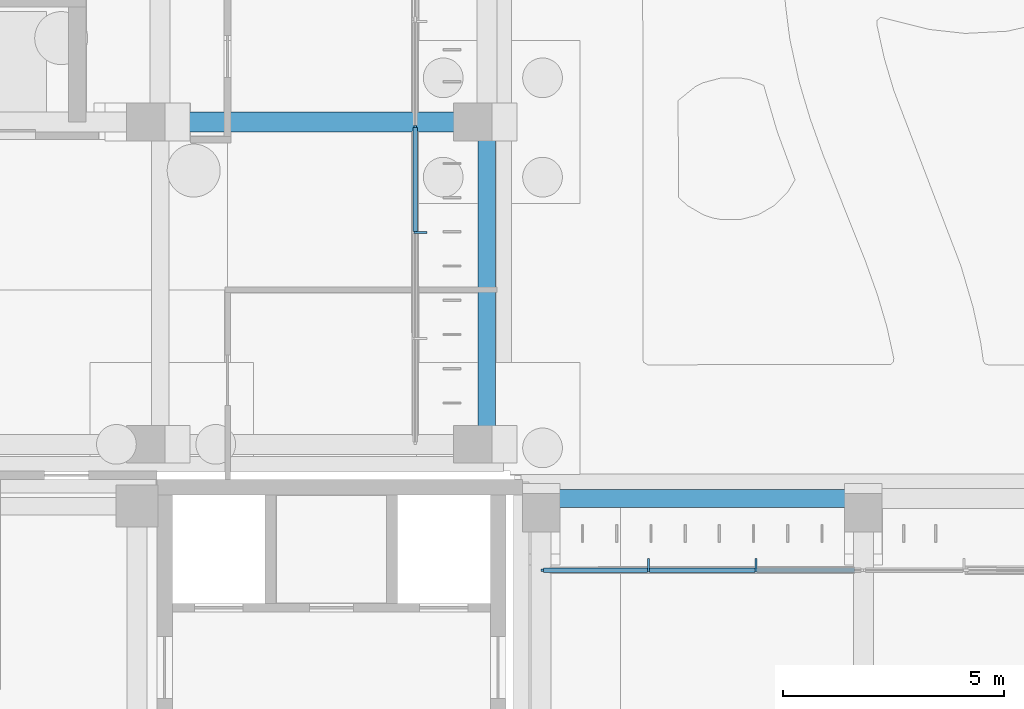
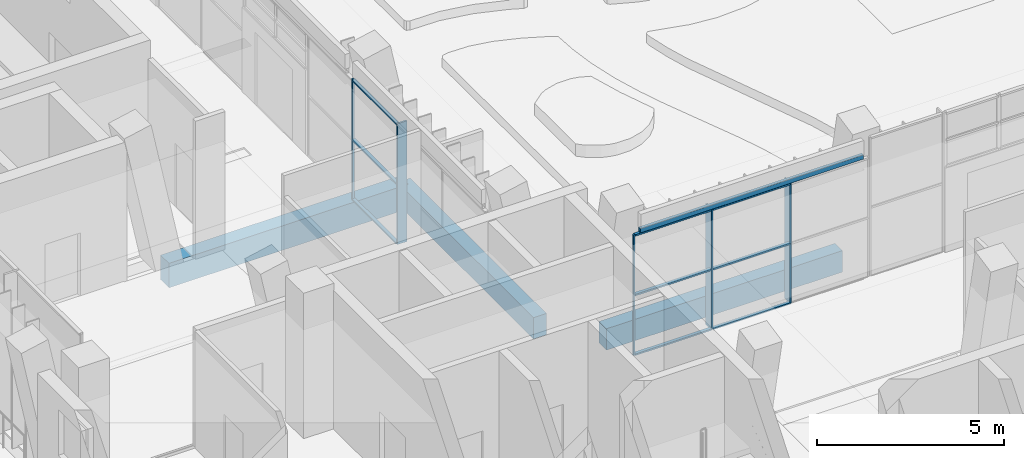
# One storey, part 46 of 144: 14 members, 4 beams, 2 elements without a shape of their own.
"""IFC4 building model written with IfcOpenShell, lengths in metres."""

import ifcopenshell
import ifcopenshell.guid

model = None  # the IFC model being written
_history = None  # IfcOwnerHistory: only IFC2X3 demands one
_inside = {}  # id of a spatial element -> (the spatial element, [elements in it])
_under = {}  # id of a project, library or spatial element -> (it, [spatial elements below it])
_declared = {}  # id of a project -> (the project, [libraries it declares])
_typed = {}  # id of a type object -> (the type object, [elements of that type])
_made_of = {}  # id of a material, layer set ... -> (it, [elements and type objects made of it])


def new_model(schema):
    """Start an empty IFC model of exactly this schema.

    Asked for "IFC4X3", IfcOpenShell would pick the latest addendum, in which some entities
    have other attributes; the version numbers below select the first issue.
    IFC2X3 requires an IfcOwnerHistory on every rooted entity: one is made here for all.
    """
    global model, _history
    if schema == "IFC4X3":
        model = ifcopenshell.file(schema_version=(4, 3, 0, 0))
    else:
        model = ifcopenshell.file(schema=schema)
    _inside.clear()
    _under.clear()
    _declared.clear()
    _typed.clear()
    _made_of.clear()
    _history = None
    if model.schema == "IFC2X3":
        org = make("IfcOrganization", Name="unknown")
        user = make(
            "IfcPersonAndOrganization",
            ThePerson=make("IfcPerson", FamilyName="unknown"),
            TheOrganization=org,
        )
        app = make(
            "IfcApplication",
            ApplicationDeveloper=org,
            Version="unknown",
            ApplicationFullName="unknown",
            ApplicationIdentifier="unknown",
        )
        _history = make(
            "IfcOwnerHistory",
            OwningUser=user,
            OwningApplication=app,
            ChangeAction="ADDED",
            CreationDate=0,
        )
    return model


def make(cls, **values):
    """One entity of the class cls with the attributes given. An attribute that is None is left unset."""
    return model.create_entity(
        cls, **{name: value for name, value in values.items() if value is not None}
    )


def rooted(cls, **values):
    """An entity with a GlobalId (a new one), such as an element, a storey or a relation."""
    return make(cls, GlobalId=ifcopenshell.guid.new(), OwnerHistory=_history, **values)


def si_unit(unit_type, name, prefix=None):
    """IfcSIUnit, for example si_unit("LENGTHUNIT", "METRE", prefix="MILLI")."""
    return make("IfcSIUnit", UnitType=unit_type, Prefix=prefix, Name=name)


def assignment(units):
    """IfcUnitAssignment: the units of a project."""
    return None if units is None else make("IfcUnitAssignment", Units=units)


def point(xyz):
    """IfcCartesianPoint."""
    return None if xyz is None else make("IfcCartesianPoint", Coordinates=xyz)


def direction(xyz):
    """IfcDirection."""
    return None if xyz is None else make("IfcDirection", DirectionRatios=xyz)


def frame(location, z_axis=None, x_axis=None):
    """IfcAxis2Placement3D, a coordinate frame: its origin and axes. An axis left out is left unset."""
    return make(
        "IfcAxis2Placement3D",
        Location=point(location),
        Axis=direction(z_axis),
        RefDirection=direction(x_axis),
    )


def frame_2d(location, x_axis=None):
    """IfcAxis2Placement2D, a coordinate frame in the plane: its origin and x axis."""
    return make(
        "IfcAxis2Placement2D", Location=point(location), RefDirection=direction(x_axis)
    )


def origin():
    """The frame at (0, 0, 0) with its axes left unset."""
    return frame((0.0, 0.0, 0.0))


def origin_2d():
    """The frame at (0, 0) in the plane with its x axis left unset."""
    return frame_2d((0.0, 0.0))


def place(relative_to, where):
    """IfcLocalPlacement: puts the frame where relative to a parent placement (None: the world)."""
    return make(
        "IfcLocalPlacement", PlacementRelTo=relative_to, RelativePlacement=where
    )


def context(
    kind, dimensions, precision=None, world=None, true_north=None, identifier=None
):
    """IfcGeometricRepresentationContext, for example the 3D "Model" context."""
    return make(
        "IfcGeometricRepresentationContext",
        ContextIdentifier=identifier,
        ContextType=kind,
        CoordinateSpaceDimension=dimensions,
        Precision=precision,
        WorldCoordinateSystem=world,
        TrueNorth=true_north,
    )


def subcontext(parent, identifier, kind, view, scale=None):
    """IfcGeometricRepresentationSubContext, for example "Body" below "Model"."""
    return make(
        "IfcGeometricRepresentationSubContext",
        ContextIdentifier=identifier,
        ContextType=kind,
        ParentContext=parent,
        TargetScale=scale,
        TargetView=view,
    )


def project(units=None, contexts=None):
    """IfcProject with its units and contexts."""
    return rooted(
        "IfcProject",
        Name="project",
        RepresentationContexts=contexts,
        UnitsInContext=assignment(units),
    )


def spatial(cls, under=None, at=None, **own):
    """A site, building, storey or space (cls), placed at a placement, below another one or the project."""
    s = rooted(cls, ObjectPlacement=at, **own)
    if under is not None:
        _under.setdefault(under.id(), (under, []))[1].append(s)
    return s


def profile(cls, at=None, kind="AREA", **sizes):
    """A parametric profile (cls). Its sizes go by their IFC names, for example OverallWidth=200.0."""
    return make(cls, ProfileType=kind, Position=at, **sizes)


def rectangle(**sizes):
    """IfcRectangleProfileDef."""
    return profile("IfcRectangleProfileDef", **sizes)


def hollow_rectangle(**sizes):
    """IfcRectangleHollowProfileDef."""
    return profile("IfcRectangleHollowProfileDef", **sizes)


def extrude(swept, where, along, depth):
    """IfcExtrudedAreaSolid: the profile swept, set in the frame where, extruded along a direction by depth."""
    return make(
        "IfcExtrudedAreaSolid",
        SweptArea=swept,
        Position=where,
        ExtrudedDirection=direction(along),
        Depth=depth,
    )


def shape(context_of_items, identifier, shape_type, items):
    """IfcShapeRepresentation: the items that make up one representation, for example the "Body"."""
    return make(
        "IfcShapeRepresentation",
        ContextOfItems=context_of_items,
        RepresentationIdentifier=identifier,
        RepresentationType=shape_type,
        Items=items,
    )


def material(Name=None, Category=None):
    """IfcMaterial."""
    return make("IfcMaterial", Name=Name, Category=Category)


def material_profile(
    of_material, cross_section, Name=None, Category=None, Priority=None
):
    """IfcMaterialProfile: a cross section and its material."""
    return make(
        "IfcMaterialProfile",
        Name=Name,
        Material=of_material,
        Profile=cross_section,
        Priority=Priority,
        Category=Category,
    )


def profile_set(profiles, Name=None, composite=None):
    """IfcMaterialProfileSet."""
    return make(
        "IfcMaterialProfileSet",
        Name=Name,
        MaterialProfiles=profiles,
        CompositeProfile=composite,
    )


def made_of(thing, what):
    """Note that an element or type object is made of a material, layer set ...; save() writes the relation."""
    if what is not None:
        _made_of.setdefault(what.id(), (what, []))[1].append(thing)
    return thing


def type_object(cls, material=None, **own):
    """A type object (cls), such as IfcWallType, which elements share."""
    return made_of(rooted(cls, **own), material)


def element(
    cls,
    number,
    at=None,
    inside=None,
    cuts=None,
    type_object=None,
    material=None,
    context=None,
    identifier="Body",
    shape_type=None,
    held_by="IfcProductDefinitionShape",
    body=None,
    shapes=None,
    **own,
):
    """One element of the class cls, such as IfcWall. Its Tag is "e" and its number.

    at: its placement. inside: the storey or other place that contains it. cuts: it is an
    opening in that element (IfcRelVoidsElement). A single representation is given by context,
    identifier, shape_type and body (its items); several are given by shapes. held_by: the class
    of the entity that holds the representations. save() writes the other relations.
    """
    e = rooted(cls, Tag="e%d" % number, ObjectPlacement=at, **own)
    if body is not None:
        shapes = [shape(context, identifier, shape_type, body)]
    if shapes is not None:
        e.Representation = make(held_by, Representations=shapes)
    if inside is not None:
        _inside.setdefault(inside.id(), (inside, []))[1].append(e)
    if cuts is not None:
        rooted(
            "IfcRelVoidsElement", RelatingBuildingElement=cuts, RelatedOpeningElement=e
        )
    if type_object is not None:
        _typed.setdefault(type_object.id(), (type_object, []))[1].append(e)
    return made_of(e, material)


def aggregate(whole, parts):
    """IfcRelAggregates: a whole, such as a stair, and the parts it consists of."""
    return rooted("IfcRelAggregates", RelatingObject=whole, RelatedObjects=parts)


def save(model, path):
    """Write the relations noted so far, then the file.

    IfcRelAggregates (storeys below a building ...), IfcRelContainedInSpatialStructure (elements
    in a storey), IfcRelDefinesByType, IfcRelAssociatesMaterial and IfcRelDeclares: one each for
    every whole, place, type object, material and project.
    """
    for whole, parts in _under.values():
        aggregate(whole, parts)
    for where, things in _inside.values():
        rooted(
            "IfcRelContainedInSpatialStructure",
            RelatedElements=things,
            RelatingStructure=where,
        )
    for kind, things in _typed.values():
        rooted("IfcRelDefinesByType", RelatedObjects=things, RelatingType=kind)
    for what, things in _made_of.values():
        rooted("IfcRelAssociatesMaterial", RelatedObjects=things, RelatingMaterial=what)
    for by, libraries in _declared.values():
        rooted("IfcRelDeclares", RelatingContext=by, RelatedDefinitions=libraries)
    model.write(path)


model = new_model("IFC4")

# Units and contexts
model_context = context("Model", 3, precision=1e-05, world=origin(), true_north=direction((0.0, 1.0)))
body_context = subcontext(model_context, "Body", "Model", "MODEL_VIEW")
ifc_project = project(units=[si_unit("LENGTHUNIT", "METRE"), si_unit("AREAUNIT", "SQUARE_METRE"), si_unit("VOLUMEUNIT", "CUBIC_METRE"), si_unit("PLANEANGLEUNIT", "RADIAN"), si_unit("MASSUNIT", "GRAM", prefix="KILO")], contexts=[model_context])

# Site, building, storey
site_placement = place(None, origin())
site = spatial("IfcSite", under=ifc_project, at=site_placement, CompositionType="ELEMENT")
building_placement = place(site_placement, origin())
building = spatial("IfcBuilding", under=site, at=building_placement, Name="Lantern Court Media Centre", CompositionType="ELEMENT")
storey_placement = place(building_placement, origin())
storey = spatial("IfcBuildingStorey", under=building, at=storey_placement, Name="L00", CompositionType="ELEMENT", Elevation=0.0)

# Curtain wall, members
ifc_material_1 = material(Name="Curtain wall bay 2400")
curtain_wall_type = type_object("IfcCurtainWallType", Name="Curtain wall bay 2400", PredefinedType="NOTDEFINED", material=ifc_material_1)
curtain_wall_1_placement = place(storey_placement, origin())
curtain_wall_1 = element("IfcCurtainWall", 1, at=curtain_wall_1_placement, inside=storey, type_object=curtain_wall_type, Name="Curtain wall S inner L00", PredefinedType="NOTDEFINED")
ifc_material_2 = material(Name="Anodised aluminium", Category="aluminium")
ifc_material_profile_1 = material_profile(ifc_material_2, rectangle(XDim=0.300048828125, YDim=0.050048828125, at=origin_2d()), Name="AL 50x300")
ifc_profile_set_1 = profile_set([ifc_material_profile_1], Name="Anodised aluminium")
member_type_1 = type_object("IfcMemberType", Name="Curtain wall mullion 50x300", PredefinedType="MULLION", material=ifc_profile_set_1)
member_1_placement = place(storey_placement, frame((27.13330078125, 61.969970703125, 0.0), z_axis=(0.0, 0.0, 1.0), x_axis=(0.0, 1.0, 0.0)))
member_1 = element("IfcMember", 2, at=member_1_placement, type_object=member_type_1, Name="CW2 mullion 2", PredefinedType="MULLION", context=body_context, shape_type="SweptSolid", body=[
    extrude(rectangle(XDim=0.300048828125, YDim=0.050048828125, at=origin_2d()), origin(), (0.0, 0.0, 1.0), 3.949951171875),
])
member_2_placement = place(storey_placement, frame((29.566650390625, 61.969970703125, 0.0), z_axis=(0.0, 0.0, 1.0), x_axis=(0.0, 1.0, 0.0)))
member_2 = element("IfcMember", 3, at=member_2_placement, type_object=member_type_1, Name="CW2 mullion 3", PredefinedType="MULLION", context=body_context, shape_type="SweptSolid", body=[
    extrude(rectangle(XDim=0.300048828125, YDim=0.050048828125, at=origin_2d()), origin(), (0.0, 0.0, 1.0), 3.949951171875),
])

# Curtain wall, member
curtain_wall_2_placement = place(storey_placement, origin())
curtain_wall_2 = element("IfcCurtainWall", 4, at=curtain_wall_2_placement, inside=storey, type_object=curtain_wall_type, Name="Curtain wall W inner L00", PredefinedType="NOTDEFINED")
member_3_placement = place(storey_placement, frame((21.969970703125, 69.5, 0.0), z_axis=(0.0, 0.0, 1.0), x_axis=(-1.0, 0.0, 0.0)))
member_3 = element("IfcMember", 5, at=member_3_placement, type_object=member_type_1, Name="CW2 mullion 3", PredefinedType="MULLION", context=body_context, shape_type="SweptSolid", body=[
    extrude(rectangle(XDim=0.300048828125, YDim=0.050048828125, at=origin_2d()), origin(), (0.0, 0.0, 1.0), 3.949951171875),
])

# Member
ifc_material_profile_2 = material_profile(ifc_material_2, rectangle(XDim=0.06005859375, YDim=0.050048828125, at=origin_2d()), Name="AL 50x60")
ifc_profile_set_2 = profile_set([ifc_material_profile_2], Name="Anodised aluminium")
member_type_2 = type_object("IfcMemberType", Name="Curtain wall mullion 50x60", PredefinedType="MULLION", material=ifc_profile_set_2)
member_4_placement = place(storey_placement, frame((24.72509765625, 61.85009765625, 0.0), z_axis=(0.0, 0.0, 1.0), x_axis=(0.0, 1.0, 0.0)))
member_4 = element("IfcMember", 6, at=member_4_placement, type_object=member_type_2, Name="CW2 mullion 1", PredefinedType="MULLION", context=body_context, shape_type="SweptSolid", body=[
    extrude(rectangle(XDim=0.06005859375, YDim=0.050048828125, at=origin_2d()), origin(), (0.0, 0.0, 1.0), 3.949951171875),
])

member_5_placement = place(storey_placement, frame((21.85009765625, 71.89990234375, 0.0), z_axis=(0.0, 0.0, 1.0), x_axis=(-1.0, 0.0, 0.0)))
member_5 = element("IfcMember", 7, at=member_5_placement, type_object=member_type_2, Name="CW2 mullion 4", PredefinedType="MULLION", context=body_context, shape_type="SweptSolid", body=[
    extrude(rectangle(XDim=0.06005859375, YDim=0.050048828125, at=origin_2d()), origin(), (0.0, 0.0, 1.0), 3.949951171875),
])

ifc_material_profile_3 = material_profile(ifc_material_2, rectangle(XDim=0.10009765625, YDim=0.050048828125, at=origin_2d()), Name="AL 50x100")
ifc_profile_set_3 = profile_set([ifc_material_profile_3], Name="Anodised aluminium")
member_type_3 = type_object("IfcMemberType", Name="Curtain wall transom 100x50", PredefinedType="USERDEFINED", material=ifc_profile_set_3)
member_6_placement = place(storey_placement, frame((24.75, 61.85009765625, 0.02490234375), z_axis=(1.0, 0.0, 0.0), x_axis=(0.0, 1.0, 0.0)))
member_6 = element("IfcMember", 8, at=member_6_placement, type_object=member_type_3, Name="CW2 transom 1.1", ObjectType="TRANSOM", PredefinedType="USERDEFINED", context=body_context, shape_type="SweptSolid", body=[
    extrude(rectangle(XDim=0.10009765625, YDim=0.050048828125, at=origin_2d()), origin(), (0.0, 0.0, 1.0), 2.3583984375),
])

member_7_placement = place(storey_placement, frame((24.75, 61.85009765625, 1.97509765625), z_axis=(1.0, 0.0, 0.0), x_axis=(0.0, 1.0, 0.0)))
member_7 = element("IfcMember", 9, at=member_7_placement, type_object=member_type_3, Name="CW2 transom 1.2", ObjectType="TRANSOM", PredefinedType="USERDEFINED", context=body_context, shape_type="SweptSolid", body=[
    extrude(rectangle(XDim=0.10009765625, YDim=0.050048828125, at=origin_2d()), origin(), (0.0, 0.0, 1.0), 2.3583984375),
])

member_8_placement = place(storey_placement, frame((24.75, 61.85009765625, 3.925048828125), z_axis=(1.0, 0.0, 0.0), x_axis=(0.0, 1.0, 0.0)))
member_8 = element("IfcMember", 10, at=member_8_placement, type_object=member_type_3, Name="CW2 transom 1.3", ObjectType="TRANSOM", PredefinedType="USERDEFINED", context=body_context, shape_type="SweptSolid", body=[
    extrude(rectangle(XDim=0.10009765625, YDim=0.050048828125, at=origin_2d()), origin(), (0.0, 0.0, 1.0), 2.3583984375),
])

member_9_placement = place(storey_placement, frame((27.158447265625, 61.85009765625, 0.02490234375), z_axis=(1.0, 0.0, 0.0), x_axis=(0.0, 1.0, 0.0)))
member_9 = element("IfcMember", 11, at=member_9_placement, type_object=member_type_3, Name="CW2 transom 2.1", ObjectType="TRANSOM", PredefinedType="USERDEFINED", context=body_context, shape_type="SweptSolid", body=[
    extrude(rectangle(XDim=0.10009765625, YDim=0.050048828125, at=origin_2d()), origin(), (0.0, 0.0, 1.0), 2.38330078125),
])

member_10_placement = place(storey_placement, frame((27.158447265625, 61.85009765625, 1.97509765625), z_axis=(1.0, 0.0, 0.0), x_axis=(0.0, 1.0, 0.0)))
member_10 = element("IfcMember", 12, at=member_10_placement, type_object=member_type_3, Name="CW2 transom 2.2", ObjectType="TRANSOM", PredefinedType="USERDEFINED", context=body_context, shape_type="SweptSolid", body=[
    extrude(rectangle(XDim=0.10009765625, YDim=0.050048828125, at=origin_2d()), origin(), (0.0, 0.0, 1.0), 2.38330078125),
])

member_11_placement = place(storey_placement, frame((27.158447265625, 61.85009765625, 3.925048828125), z_axis=(1.0, 0.0, 0.0), x_axis=(0.0, 1.0, 0.0)))
member_11 = element("IfcMember", 13, at=member_11_placement, type_object=member_type_3, Name="CW2 transom 2.3", ObjectType="TRANSOM", PredefinedType="USERDEFINED", context=body_context, shape_type="SweptSolid", body=[
    extrude(rectangle(XDim=0.10009765625, YDim=0.050048828125, at=origin_2d()), origin(), (0.0, 0.0, 1.0), 2.38330078125),
])

aggregate(curtain_wall_1, [member_4, member_1, member_2, member_6, member_7, member_8, member_9, member_10, member_11])

member_12_placement = place(storey_placement, frame((21.85009765625, 69.52490234375, 0.02490234375), z_axis=(0.0, 1.0, 0.0), x_axis=(-1.0, 0.0, 0.0)))
member_12 = element("IfcMember", 14, at=member_12_placement, type_object=member_type_3, Name="CW2 transom 3.1", ObjectType="TRANSOM", PredefinedType="USERDEFINED", context=body_context, shape_type="SweptSolid", body=[
    extrude(rectangle(XDim=0.10009765625, YDim=0.050048828125, at=origin_2d()), origin(), (0.0, 0.0, 1.0), 2.35009765625),
])

member_13_placement = place(storey_placement, frame((21.85009765625, 69.52490234375, 1.97509765625), z_axis=(0.0, 1.0, 0.0), x_axis=(-1.0, 0.0, 0.0)))
member_13 = element("IfcMember", 15, at=member_13_placement, type_object=member_type_3, Name="CW2 transom 3.2", ObjectType="TRANSOM", PredefinedType="USERDEFINED", context=body_context, shape_type="SweptSolid", body=[
    extrude(rectangle(XDim=0.10009765625, YDim=0.050048828125, at=origin_2d()), origin(), (0.0, 0.0, 1.0), 2.35009765625),
])

member_14_placement = place(storey_placement, frame((21.85009765625, 69.52490234375, 3.925048828125), z_axis=(0.0, 1.0, 0.0), x_axis=(-1.0, 0.0, 0.0)))
member_14 = element("IfcMember", 16, at=member_14_placement, type_object=member_type_3, Name="CW2 transom 3.3", ObjectType="TRANSOM", PredefinedType="USERDEFINED", context=body_context, shape_type="SweptSolid", body=[
    extrude(rectangle(XDim=0.10009765625, YDim=0.050048828125, at=origin_2d()), origin(), (0.0, 0.0, 1.0), 2.35009765625),
])

aggregate(curtain_wall_2, [member_3, member_5, member_12, member_13, member_14])

# Beams
ifc_material_3 = material(Name="Steel S355J2 (EN 10025-2)", Category="steel")
ifc_material_profile_4 = material_profile(ifc_material_3, hollow_rectangle(XDim=0.10009765625, YDim=0.14990234375, WallThickness=0.00634765625, InnerFilletRadius=0.00634765625, OuterFilletRadius=0.009521484375, at=origin_2d()), Name="Facade head lintel RHS 150x100x6.3")
ifc_profile_set_4 = profile_set([ifc_material_profile_4], Name="Steel S355J2 (EN 10025-2)")
beam_type_1 = type_object("IfcBeamType", Name="Facade head lintel RHS 150x100x6.3", PredefinedType="BEAM", material=ifc_profile_set_4)
beam_1_placement = place(storey_placement, frame((24.89990234375, 61.85009765625, 4.02490234375), z_axis=(1.0, 0.0, 0.0), x_axis=(0.0, 1.0, 0.0)))
element("IfcBeam", 17, at=beam_1_placement, inside=storey, type_object=beam_type_1, Name="Facade head lintel S L00", PredefinedType="BEAM", context=body_context, shape_type="SweptSolid", body=[
    extrude(hollow_rectangle(XDim=0.10009765625, YDim=0.14990234375, WallThickness=0.00634765625, InnerFilletRadius=0.00634765625, OuterFilletRadius=0.009521484375, at=origin_2d()), origin(), (0.0, 0.0, 1.0), 6.900146484375),
])
ifc_material_4 = material(Name="Concrete C35", Category="concrete")
ifc_material_profile_5 = material_profile(ifc_material_4, rectangle(XDim=0.39990234375, YDim=0.699951171875, at=origin_2d()), Name="RC 400x700")
ifc_profile_set_5 = profile_set([ifc_material_profile_5], Name="Concrete C35")
beam_type_2 = type_object("IfcBeamType", Name="RC BEAM 400x700", PredefinedType="BEAM", material=ifc_profile_set_5)
for number, where, z_axis, x_axis, name in (
    (18, (24.699951171875, 63.472900390625, -0.35009765625), (1.0, 0.0, 0.0), (0.0, 1.0, 0.0), "LB-S-L00-2-0"),
    (19, (23.472900390625, 64.699951171875, -0.35009765625), (0.0, 1.0, 0.0), (-1.0, 0.0, 0.0), "LB-W-L00-2-0"),
):
    element("IfcBeam", number, at=place(storey_placement, frame(where, z_axis=z_axis, x_axis=x_axis)), inside=storey, type_object=beam_type_2, Name=name, PredefinedType="BEAM", context=body_context, shape_type="SweptSolid", body=[
        extrude(rectangle(XDim=0.39990234375, YDim=0.699951171875, at=origin_2d()), origin(), (0.0, 0.0, 1.0), 7.300048828125),
    ])
ifc_material_profile_6 = material_profile(ifc_material_4, rectangle(XDim=0.449951171875, YDim=0.800048828125, at=origin_2d()), Name="RC 450x800")
ifc_profile_set_6 = profile_set([ifc_material_profile_6], Name="Concrete C35")
beam_type_3 = type_object("IfcBeamType", Name="RC BEAM 450x800", PredefinedType="BEAM", material=ifc_profile_set_6)
beam_2_placement = place(storey_placement, frame((16.083251953125, 72.0, -0.39990234375), z_axis=(1.0, 0.0, 0.0), x_axis=(0.0, 1.0, 0.0)))
element("IfcBeam", 20, at=beam_2_placement, inside=storey, type_object=beam_type_3, Name="TB-W-L00-1-2", PredefinedType="BEAM", context=body_context, shape_type="SweptSolid", body=[
    extrude(rectangle(XDim=0.449951171875, YDim=0.800048828125, at=origin_2d()), origin(), (0.0, 0.0, 1.0), 7.400146484375),
])

save(model, "model.ifc")
